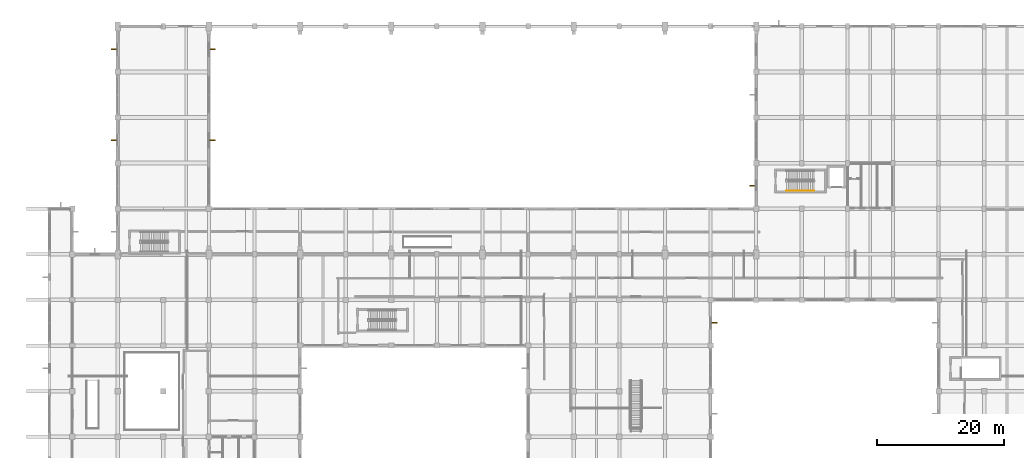
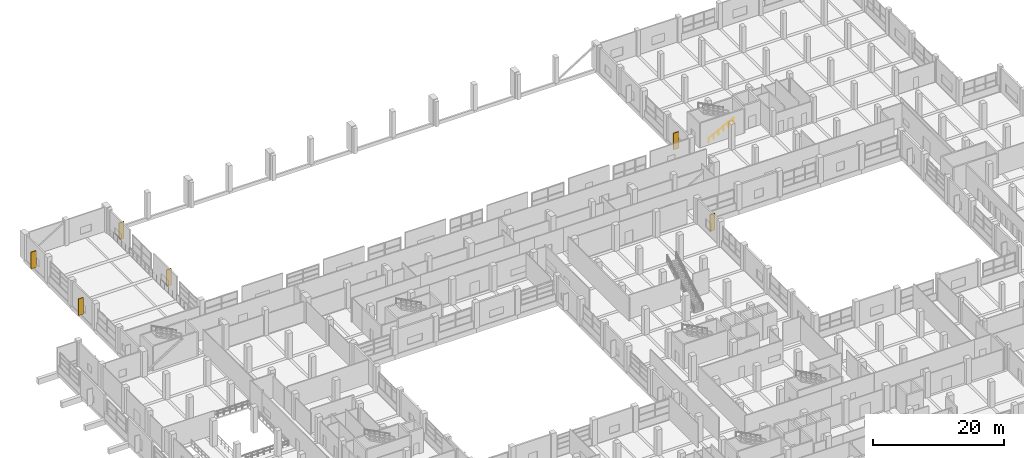
# One storey, part 177 of 181: 6 shading devices, 1 railing.
"""IFC4 building model written with IfcOpenShell, lengths in metres."""

from ifc_helpers import new_model, si_unit, direction, frame, origin, origin_2d, place, context, subcontext, project, spatial, rectangle, circle, extrude, material, type_object, element, save


model = new_model("IFC4")

# Units and contexts
model_context = context("Model", 3, precision=1e-05, world=origin(), true_north=direction((0.0, 1.0)))
body_context = subcontext(model_context, "Body", "Model", "MODEL_VIEW")
ifc_project = project(units=[si_unit("LENGTHUNIT", "METRE"), si_unit("AREAUNIT", "SQUARE_METRE"), si_unit("VOLUMEUNIT", "CUBIC_METRE"), si_unit("PLANEANGLEUNIT", "RADIAN"), si_unit("MASSUNIT", "GRAM", prefix="KILO")], contexts=[model_context])

# Site, building, storey
site_placement = place(None, origin())
site = spatial("IfcSite", under=ifc_project, at=site_placement, CompositionType="ELEMENT")
building_placement = place(site_placement, origin())
building = spatial("IfcBuilding", under=site, at=building_placement, Name="Seraya Terrace Polytechnic", CompositionType="ELEMENT")
storey_placement = place(building_placement, frame((0.0, 0.0, 4.800048828125)))
storey = spatial("IfcBuildingStorey", under=building, at=storey_placement, Name="L01", CompositionType="ELEMENT", Elevation=4.800048828125)

# Shading devices
ifc_material_1 = material(Name="Precast concrete C40/50", Category="concrete")
shading_device_type = type_object("IfcShadingDeviceType", Name="BS-F1", PredefinedType="JALOUSIE", material=ifc_material_1)
for number, where, z_axis, x_axis, name in (
    (1, (13.85009765625, 97.199951171875, 0.449951171875), (0.0, 0.0, 1.0), (-1.0, 0.0, 0.0), "Precast concrete brise-soleil fin L01"),
    (2, (13.85009765625, 111.60009765625, 0.449951171875), (0.0, 0.0, 1.0), (-1.0, 0.0, 0.0), "Precast concrete brise-soleil fin L01"),
    (3, (29.35009765625, 111.60009765625, 0.449951171875), (0.0, 0.0, 1.0), (1.0, 0.0, 0.0), "Precast concrete brise-soleil fin L01"),
    (4, (29.35009765625, 97.199951171875, 0.449951171875), (0.0, 0.0, 1.0), (1.0, 0.0, 0.0), "Precast concrete brise-soleil fin L01"),
    (5, (114.64990234375, 90.0, 0.449951171875), (0.0, 0.0, 1.0), (-1.0, 0.0, 0.0), "Precast concrete brise-soleil fin L01"),
    (6, (108.580078125, 68.39990234375, 0.449951171875), (0.0, 0.0, 1.0), (1.0, 0.0, 0.0), "Precast concrete brise-soleil fin L01"),
):
    element("IfcShadingDevice", number, at=place(storey_placement, frame(where, z_axis=z_axis, x_axis=x_axis)), inside=storey, type_object=shading_device_type, Name=name, PredefinedType="JALOUSIE", context=body_context, shape_type="SweptSolid", body=[
        extrude(rectangle(XDim=0.89990234375, YDim=0.14990234375, at=origin_2d()), origin(), (0.0, 0.0, 1.0), 3.10009765625),
    ])

# Railing
ifc_material_2 = material(Name="Steel S355J2", Category="steel")
railing_type = type_object("IfcRailingType", Name="HR-01", PredefinedType="HANDRAIL", material=ifc_material_2)
railing_placement = place(storey_placement, frame((120.0, 89.25, 0.14990234375)))
element("IfcRailing", 7, at=railing_placement, inside=storey, type_object=railing_type, Name="L01 ST-08 stair handrail 1", PredefinedType="HANDRAIL", context=body_context, shape_type="SweptSolid", body=[
    extrude(circle(Radius=0.02392578125, at=origin_2d()), frame((0.0, 0.0, 0.8759765625), z_axis=(0.888221851817, 0.0, 0.459414782038), x_axis=(0.0, 1.0, 0.0)), (0.0, 0.0, 1.0), 4.8974609375),
    extrude(circle(Radius=0.02099609375, at=origin_2d()), origin(), (0.0, 0.0, 1.0), 0.851806640625),
    extrude(circle(Radius=0.02099609375, at=origin_2d()), frame((0.8701171875, 0.0, 0.449951171875)), (0.0, 0.0, 1.0), 0.851806640625),
    extrude(circle(Radius=0.02099609375, at=origin_2d()), frame((1.739990234375, 0.0, 0.89990234375)), (0.0, 0.0, 1.0), 0.851806640625),
    extrude(circle(Radius=0.02099609375, at=origin_2d()), frame((2.610107421875, 0.0, 1.35009765625)), (0.0, 0.0, 1.0), 0.851806640625),
    extrude(circle(Radius=0.02099609375, at=origin_2d()), frame((3.47998046875, 0.0, 1.800048828125)), (0.0, 0.0, 1.0), 0.851806640625),
    extrude(circle(Radius=0.02099609375, at=origin_2d()), frame((4.35009765625, 0.0, 2.25)), (0.0, 0.0, 1.0), 0.851806640625),
])

save(model, "model.ifc")
